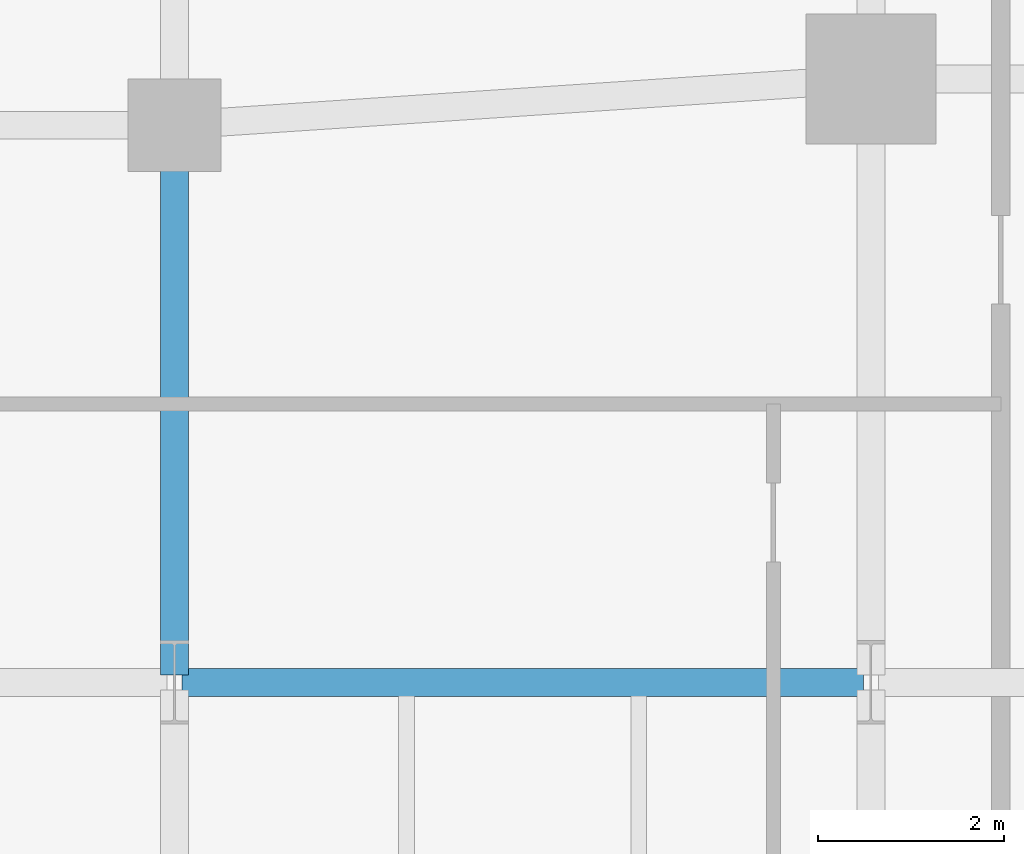
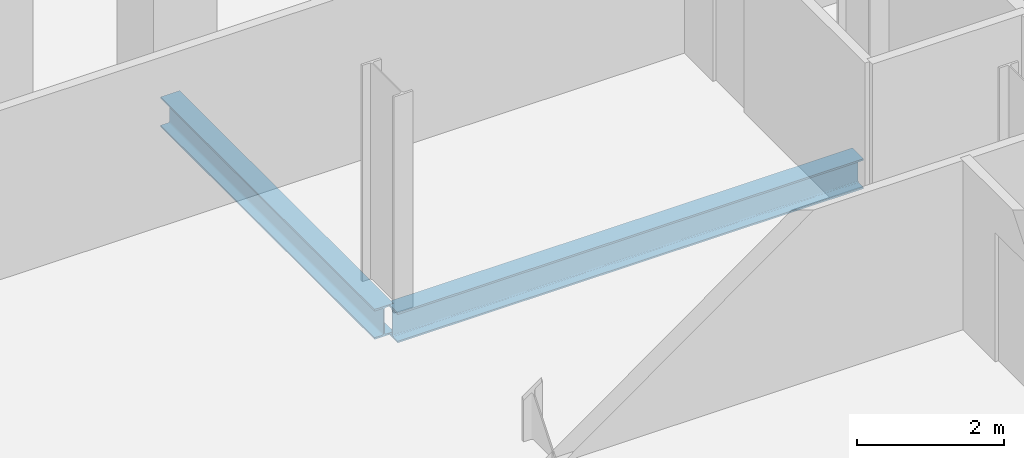
# One storey, part 9 of 31: 2 beams.
"""IFC4 building model written with IfcOpenShell, lengths in metres."""

from ifc_helpers import new_model, si_unit, direction, frame, origin, origin_2d, place, context, subcontext, project, spatial, i_section, extrude, material, material_profile, profile_set, type_object, element, save


model = new_model("IFC4")

# Units and contexts
model_context = context("Model", 3, precision=1e-05, world=origin(), true_north=direction((0.0, 1.0)))
body_context = subcontext(model_context, "Body", "Model", "MODEL_VIEW")
ifc_project = project(units=[si_unit("LENGTHUNIT", "METRE"), si_unit("AREAUNIT", "SQUARE_METRE"), si_unit("VOLUMEUNIT", "CUBIC_METRE"), si_unit("PLANEANGLEUNIT", "RADIAN"), si_unit("MASSUNIT", "GRAM", prefix="KILO")], contexts=[model_context])

# Site, building, storey
site_placement = place(None, origin())
site = spatial("IfcSite", under=ifc_project, at=site_placement, CompositionType="ELEMENT")
building_placement = place(site_placement, origin())
building = spatial("IfcBuilding", under=site, at=building_placement, Name="Catumbela Crestline Tower", CompositionType="ELEMENT")
storey_placement = place(building_placement, frame((0.0, 0.0, 40.2)))
storey = spatial("IfcBuildingStorey", under=building, at=storey_placement, Name="L09", CompositionType="ELEMENT", Elevation=40.2)

# Beams
ifc_material = material(Name="Structural steel S355J2", Category="steel")
ifc_material_profile = material_profile(ifc_material, i_section(OverallWidth=0.3, OverallDepth=0.5, WebThickness=0.0145, FlangeThickness=0.028, FilletRadius=0.027, at=origin_2d()), Name="HEB 500")
ifc_profile_set = profile_set([ifc_material_profile], Name="Structural steel S355J2")
beam_type = type_object("IfcBeamType", Name="BG-HEB500", PredefinedType="BEAM", material=ifc_profile_set)
beam_1_placement = place(storey_placement, frame((8.58, 18.0, -0.51), z_axis=(1.0, 0.0, 0.0), x_axis=(0.0, 1.0, 0.0)))
element("IfcBeam", 1, at=beam_1_placement, inside=storey, type_object=beam_type, Name="L09 Beam BM-L09-WEW55", PredefinedType="BEAM", context=body_context, shape_type="SweptSolid", body=[
    extrude(i_section(OverallWidth=0.3, OverallDepth=0.5, WebThickness=0.0145, FlangeThickness=0.028, FilletRadius=0.027, at=origin_2d()), origin(), (0.0, 0.0, 1.0), 7.34),
])
beam_2_placement = place(storey_placement, frame((8.5, 18.08, -0.51), z_axis=(0.0, 1.0, 0.0), x_axis=(-1.0, 0.0, 0.0)))
element("IfcBeam", 2, at=beam_2_placement, inside=storey, type_object=beam_type, Name="L09 Beam BM-L09-WNS63", PredefinedType="BEAM", context=body_context, shape_type="SweptSolid", body=[
    extrude(i_section(OverallWidth=0.3, OverallDepth=0.5, WebThickness=0.0145, FlangeThickness=0.028, FilletRadius=0.027, at=origin_2d()), origin(), (0.0, 0.0, 1.0), 5.84),
])

save(model, "model.ifc")
